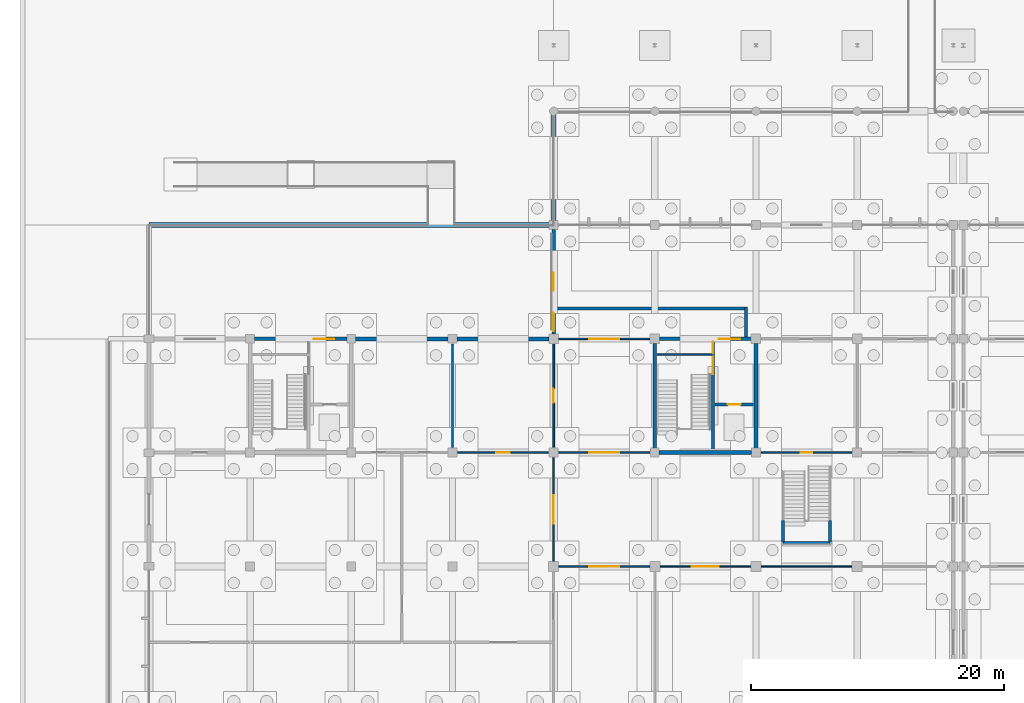
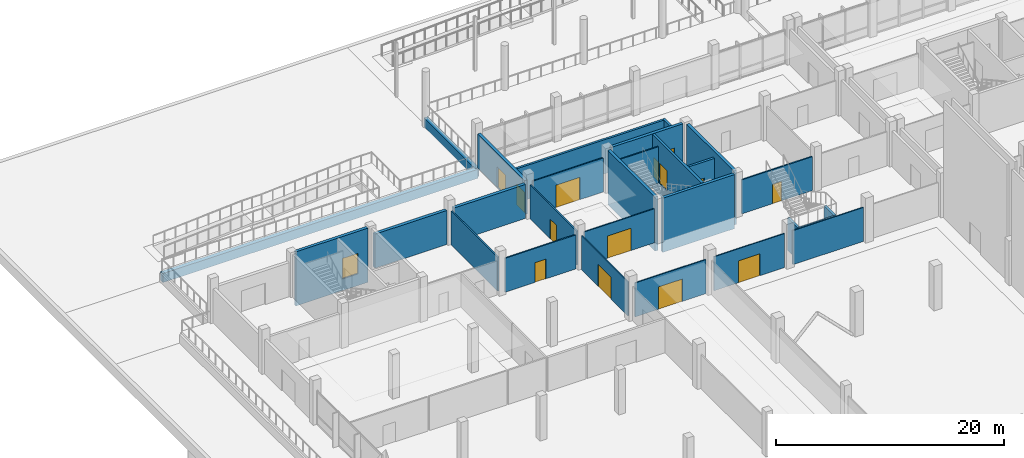
# One storey, part 48 of 72: 28 walls, 15 doors, 15 openings.
"""IFC4 building model written with IfcOpenShell, lengths in metres."""

from ifc_helpers import new_model, si_unit, direction, frame, frame_2d, origin, place, context, subcontext, project, spatial, rectangle, extrude, material, layer, layer_set, type_object, element, fill, save


model = new_model("IFC4")

# Units and contexts
model_context = context("Model", 3, precision=1e-05, world=origin(), true_north=direction((0.0, 1.0)))
body_context = subcontext(model_context, "Body", "Model", "MODEL_VIEW")
ifc_project = project(units=[si_unit("LENGTHUNIT", "METRE"), si_unit("AREAUNIT", "SQUARE_METRE"), si_unit("VOLUMEUNIT", "CUBIC_METRE"), si_unit("PLANEANGLEUNIT", "RADIAN"), si_unit("MASSUNIT", "GRAM", prefix="KILO"), si_unit("THERMODYNAMICTEMPERATUREUNIT", "KELVIN"), si_unit("POWERUNIT", "WATT")], contexts=[model_context])

# Site, building, storey
site_placement = place(None, origin())
site = spatial("IfcSite", under=ifc_project, at=site_placement, CompositionType="ELEMENT")
building_placement = place(site_placement, origin())
building = spatial("IfcBuilding", under=site, at=building_placement, Name="Kronsvod Quay Wholesale Market", CompositionType="ELEMENT")
storey_placement = place(building_placement, origin())
storey = spatial("IfcBuildingStorey", under=building, at=storey_placement, Name="L00", CompositionType="ELEMENT", Elevation=0.0)

# Wall, opening, door
ifc_material_1 = material(Name="Concrete C35/45", Category="concrete")
ifc_layer_1 = layer(ifc_material_1, 0.300048828125)
ifc_layer_set_1 = layer_set([ifc_layer_1], Name="Concrete C35/45")
wall_type_1 = type_object("IfcWallType", Name="Wall_CoreShear300", PredefinedType="SHEAR", material=ifc_layer_set_1)
wall_1_placement = place(storey_placement, frame((8.344970703125, 108.0, -1.25), z_axis=(0.0, 0.0, 1.0), x_axis=(1.0, 0.0, 0.0)))
wall_1 = element("IfcWall", 1, at=wall_1_placement, inside=storey, type_object=wall_type_1, Name="CW-C02-L00-N", PredefinedType="SHEAR", context=body_context, shape_type="SweptSolid", body=[
    extrude(rectangle(XDim=7.31005859375, YDim=0.300048828125, at=frame_2d((3.655029296875, 0.0))), origin(), (0.0, 0.0, 1.0), 5.804931640625),
])
opening_1_placement = place(wall_1_placement, frame((4.699951171875, 0.0, 1.25)))
opening_1 = element("IfcOpeningElement", 2, at=opening_1_placement, cuts=wall_1, Name="Opening D-0011", PredefinedType="OPENING", context=body_context, shape_type="SweptSolid", body=[
    extrude(rectangle(XDim=1.60009765625, YDim=2.199951171875, at=frame_2d((0.800048828125, 1.10009765625))), frame((0.0, 0.16015625, 0.0), z_axis=(0.0, -1.0, 0.0), x_axis=(1.0, 0.0, 0.0)), (0.0, 0.0, 1.0), 0.320068359375),
])
ifc_material_2 = material(Name="Painted galvanized fire steel", Category="steel")
door_type_1 = type_object("IfcDoorType", Name="Door_FireLobby160x220", OperationType="DOUBLE_DOOR_SINGLE_SWING", PredefinedType="DOOR", material=ifc_material_2)
door_1_placement = place(opening_1_placement, origin())
door_1 = element("IfcDoor", 3, at=door_1_placement, inside=storey, type_object=door_type_1, Name="Core Lobby Door D-0011", OperationType="DOUBLE_DOOR_SINGLE_SWING", OverallHeight=2.199951171875, OverallWidth=1.60009765625, PredefinedType="DOOR", context=body_context, shape_type="SweptSolid", body=[
    extrude(rectangle(XDim=1.60009765625, YDim=2.199951171875, at=frame_2d((0.800048828125, 1.10009765625))), frame((0.0, 0.02490234375, 0.0), z_axis=(0.0, -1.0, 0.0), x_axis=(1.0, 0.0, 0.0)), (0.0, 0.0, 1.0), 0.050048828125),
])
fill(opening_1, door_1)

# Wall
wall_2_placement = place(storey_placement, frame((40.344970703125, 99.0, -1.25), z_axis=(0.0, 0.0, 1.0), x_axis=(1.0, 0.0, 0.0)))
element("IfcWall", 4, at=wall_2_placement, inside=storey, type_object=wall_type_1, Name="CW-C07-L00-S", PredefinedType="SHEAR", context=body_context, shape_type="SweptSolid", body=[
    extrude(rectangle(XDim=7.31005859375, YDim=0.300048828125, at=frame_2d((3.655029296875, 0.0))), origin(), (0.0, 0.0, 1.0), 5.804931640625),
])

# Wall, opening, door
wall_3_placement = place(storey_placement, frame((40.3701171875, 108.0, -1.25), z_axis=(0.0, 0.0, 1.0), x_axis=(1.0, 0.0, 0.0)))
wall_3 = element("IfcWall", 5, at=wall_3_placement, inside=storey, type_object=wall_type_1, Name="CW-C07-L00-N", PredefinedType="SHEAR", context=body_context, shape_type="SweptSolid", body=[
    extrude(rectangle(XDim=7.259765625, YDim=0.300048828125, at=frame_2d((3.6298828125, 0.0))), origin(), (0.0, 0.0, 1.0), 5.804931640625),
])
opening_2_placement = place(wall_3_placement, frame((4.699951171875, 0.0, 1.25)))
opening_2 = element("IfcOpeningElement", 6, at=opening_2_placement, cuts=wall_3, Name="Opening D-0064", PredefinedType="OPENING", context=body_context, shape_type="SweptSolid", body=[
    extrude(rectangle(XDim=1.699951171875, YDim=2.25, at=frame_2d((0.85009765625, 1.125))), frame((0.0, 0.16015625, 0.0), z_axis=(0.0, -1.0, 0.0), x_axis=(1.0, 0.0, 0.0)), (0.0, 0.0, 1.0), 0.320068359375),
])
ifc_material_3 = material(Name="Painted galvanized fire steel", Category="steel")
door_type_2 = type_object("IfcDoorType", Name="Door_FireLobby170x225", OperationType="DOUBLE_DOOR_SINGLE_SWING", PredefinedType="DOOR", material=ifc_material_3)
door_2_placement = place(opening_2_placement, origin())
door_2 = element("IfcDoor", 7, at=door_2_placement, inside=storey, type_object=door_type_2, Name="Core Lobby Door D-0064", OperationType="DOUBLE_DOOR_SINGLE_SWING", OverallHeight=2.25, OverallWidth=1.699951171875, PredefinedType="DOOR", context=body_context, shape_type="SweptSolid", body=[
    extrude(rectangle(XDim=1.699951171875, YDim=2.25, at=frame_2d((0.85009765625, 1.125))), frame((0.0, 0.02490234375, 0.0), z_axis=(0.0, -1.0, 0.0), x_axis=(1.0, 0.0, 0.0)), (0.0, 0.0, 1.0), 0.050048828125),
])
fill(opening_2, door_2)

# Walls
for number, where, z_axis, x_axis, name in (
    (8, (40.0, 99.344970703125, -1.25), (0.0, 0.0, 1.0), (0.0, 1.0, 0.0), "CW-C07-L00-W"),
    (9, (48.0, 99.344970703125, -1.25), (0.0, 0.0, 1.0), (0.0, 1.0, 0.0), "CW-C07-L00-E"),
):
    element("IfcWall", number, at=place(storey_placement, frame(where, z_axis=z_axis, x_axis=x_axis)), inside=storey, type_object=wall_type_1, Name=name, PredefinedType="SHEAR", context=body_context, shape_type="SweptSolid", body=[
        extrude(rectangle(XDim=8.284912109375, YDim=0.300048828125, at=frame_2d((4.142578125, 0.0))), origin(), (0.0, 0.0, 1.0), 5.804931640625),
    ])

# Wall, openings, doors
ifc_material_4 = material(Name="Precast concrete C40/50", Category="concrete")
ifc_layer_2 = layer(ifc_material_4, 0.300048828125)
ifc_layer_set_2 = layer_set([ifc_layer_2], Name="Precast concrete C40/50")
wall_type_2 = type_object("IfcWallType", Name="Wall_ExtPrecast300", PredefinedType="SOLIDWALL", material=ifc_layer_set_2)
wall_4_placement = place(storey_placement, frame((32.0, 116.655029296875, 0.0), z_axis=(0.0, 0.0, 1.0), x_axis=(0.0, -1.0, 0.0)))
wall_4 = element("IfcWall", 10, at=wall_4_placement, inside=storey, type_object=wall_type_2, Name="EW-Y-L00-0020", PredefinedType="SOLIDWALL", context=body_context, shape_type="SweptSolid", body=[
    extrude(rectangle(XDim=8.284912109375, YDim=0.300048828125, at=frame_2d((4.142578125, 0.0))), origin(), (0.0, 0.0, 1.0), 3.64990234375),
])
opening_3_placement = place(wall_4_placement, frame((3.4169921875, 0.0, 0.0)))
opening_3 = element("IfcOpeningElement", 11, at=opening_3_placement, cuts=wall_4, Name="Opening ED-014", PredefinedType="OPENING", context=body_context, shape_type="SweptSolid", body=[
    extrude(rectangle(XDim=1.449951171875, YDim=2.199951171875, at=frame_2d((0.72509765625, 1.10009765625))), frame((0.0, 0.16015625, 0.0), z_axis=(0.0, -1.0, 0.0), x_axis=(1.0, 0.0, 0.0)), (0.0, 0.0, 1.0), 0.320068359375),
])
opening_4_placement = place(wall_4_placement, frame((6.60009765625, 0.0, 0.0)))
opening_4 = element("IfcOpeningElement", 12, at=opening_4_placement, cuts=wall_4, Name="Opening ED-063", PredefinedType="OPENING", context=body_context, shape_type="SweptSolid", body=[
    extrude(rectangle(XDim=1.449951171875, YDim=2.199951171875, at=frame_2d((0.72509765625, 1.10009765625))), frame((0.0, 0.16015625, 0.0), z_axis=(0.0, -1.0, 0.0), x_axis=(1.0, 0.0, 0.0)), (0.0, 0.0, 1.0), 0.320068359375),
])
ifc_material_5 = material(Name="Painted galvanized steel", Category="steel")
door_type_3 = type_object("IfcDoorType", Name="Door_ExitSingle145x220", OperationType="NOTDEFINED", PredefinedType="DOOR", material=ifc_material_5)
door_3_placement = place(opening_3_placement, frame((1.449951171875, 0.0, 0.0), z_axis=(0.0, 0.0, 1.0), x_axis=(-1.0, 0.0, 0.0)))
door_3 = element("IfcDoor", 13, at=door_3_placement, inside=storey, type_object=door_type_3, Name="Side Promenade Exit Door ED-014", OperationType="SINGLE_SWING_LEFT", OverallHeight=2.199951171875, OverallWidth=1.449951171875, PredefinedType="DOOR", context=body_context, shape_type="SweptSolid", body=[
    extrude(rectangle(XDim=1.449951171875, YDim=2.199951171875, at=frame_2d((0.72509765625, 1.10009765625))), frame((0.0, 0.02490234375, 0.0), z_axis=(0.0, -1.0, 0.0), x_axis=(1.0, 0.0, 0.0)), (0.0, 0.0, 1.0), 0.050048828125),
])
fill(opening_3, door_3)
door_4_placement = place(opening_4_placement, frame((1.449951171875, 0.0, 0.0), z_axis=(0.0, 0.0, 1.0), x_axis=(-1.0, 0.0, 0.0)))
door_4 = element("IfcDoor", 14, at=door_4_placement, inside=storey, type_object=door_type_3, Name="Side Promenade Exit Door ED-063", OperationType="SINGLE_SWING_LEFT", OverallHeight=2.199951171875, OverallWidth=1.449951171875, PredefinedType="DOOR", context=body_context, shape_type="SweptSolid", body=[
    extrude(rectangle(XDim=1.449951171875, YDim=2.199951171875, at=frame_2d((0.72509765625, 1.10009765625))), frame((0.0, 0.02490234375, 0.0), z_axis=(0.0, -1.0, 0.0), x_axis=(1.0, 0.0, 0.0)), (0.0, 0.0, 1.0), 0.050048828125),
])
fill(opening_4, door_4)

# Walls
ifc_material_6 = material(Name="Precast concrete C40/50", Category="concrete")
ifc_layer_3 = layer(ifc_material_6, 0.320068359375)
ifc_layer_set_3 = layer_set([ifc_layer_3], Name="Precast concrete C40/50")
wall_type_3 = type_object("IfcWallType", Name="Wall_ExtPrecast320", PredefinedType="SOLIDWALL", material=ifc_layer_set_3)
wall_5_placement = place(storey_placement, frame((23.655029296875, 108.0, 0.0), z_axis=(0.0, 0.0, 1.0), x_axis=(-1.0, 0.0, 0.0)))
element("IfcWall", 15, at=wall_5_placement, inside=storey, type_object=wall_type_3, Name="EW-X-L00-0010", PredefinedType="SOLIDWALL", context=body_context, shape_type="SweptSolid", body=[
    extrude(rectangle(XDim=7.31005859375, YDim=0.320068359375, at=frame_2d((3.655029296875, 0.0))), origin(), (0.0, 0.0, 1.0), 3.64990234375),
])
wall_6_placement = place(storey_placement, frame((31.6298828125, 108.0, 0.0), z_axis=(0.0, 0.0, 1.0), x_axis=(-1.0, 0.0, 0.0)))
element("IfcWall", 16, at=wall_6_placement, inside=storey, type_object=wall_type_3, Name="EW-X-L00-0011", PredefinedType="SOLIDWALL", context=body_context, shape_type="SweptSolid", body=[
    extrude(rectangle(XDim=7.284912109375, YDim=0.320068359375, at=frame_2d((3.642578125, 0.0))), origin(), (0.0, 0.0, 1.0), 3.64990234375),
])
ifc_material_7 = material(Name="Concrete C35/45", Category="concrete")
ifc_layer_4 = layer(ifc_material_7, 0.219970703125)
ifc_layer_set_4 = layer_set([ifc_layer_4], Name="Concrete C35/45")
wall_type_4 = type_object("IfcWallType", Name="Wall_FireComp220", PredefinedType="SOLIDWALL", material=ifc_layer_set_4)
wall_7_placement = place(storey_placement, frame((32.14990234375, 110.39990234375, 0.0), z_axis=(0.0, 0.0, 1.0), x_axis=(1.0, 0.0, 0.0)))
element("IfcWall", 17, at=wall_7_placement, inside=storey, type_object=wall_type_4, Name="XPW-C07-N", PredefinedType="SOLIDWALL", context=body_context, shape_type="SweptSolid", body=[
    extrude(rectangle(XDim=14.940185546875, YDim=0.219970703125, at=frame_2d((7.47021484375, 0.0))), origin(), (0.0, 0.0, 1.0), 3.64990234375),
])
wall_8_placement = place(storey_placement, frame((47.199951171875, 108.14990234375, 0.0), z_axis=(0.0, 0.0, 1.0), x_axis=(0.0, 1.0, 0.0)))
element("IfcWall", 18, at=wall_8_placement, inside=storey, type_object=wall_type_4, Name="XPW-C07-E", PredefinedType="SOLIDWALL", context=body_context, shape_type="SweptSolid", body=[
    extrude(rectangle(XDim=2.360107421875, YDim=0.219970703125, at=frame_2d((1.18017578125, 0.0))), origin(), (0.0, 0.0, 1.0), 3.64990234375),
])

# Wall, opening, door
ifc_material_8 = material(Name="Double-glazed gallery screen partition", Category="glass")
ifc_layer_5 = layer(ifc_material_8, 0.10791015625)
ifc_layer_set_5 = layer_set([ifc_layer_5], Name="Double-glazed gallery screen partition")
wall_type_5 = type_object("IfcWallType", Name="Wall_PartGlazed108", PredefinedType="PARTITIONING", material=ifc_layer_set_5)
wall_9_placement = place(storey_placement, frame((32.0, 90.419921875, 0.0), z_axis=(0.0, 0.0, 1.0), x_axis=(0.0, 1.0, 0.0)))
wall_9 = element("IfcWall", 19, at=wall_9_placement, inside=storey, type_object=wall_type_5, Name="PW-L00-0030", PredefinedType="PARTITIONING", context=body_context, shape_type="SweptSolid", body=[
    extrude(rectangle(XDim=8.16015625, YDim=0.10791015625, at=frame_2d((4.080078125, 0.0))), origin(), (0.0, 0.0, 1.0), 3.64990234375),
])
opening_5_placement = place(wall_9_placement, frame((2.955078125, 0.0, 0.0)))
opening_5 = element("IfcOpeningElement", 20, at=opening_5_placement, cuts=wall_9, Name="Opening D-0144", PredefinedType="OPENING", context=body_context, shape_type="SweptSolid", body=[
    extrude(rectangle(XDim=2.25, YDim=2.3798828125, at=frame_2d((1.125, 1.18994140625))), frame((0.0, 0.06396484375, 0.0), z_axis=(0.0, -1.0, 0.0), x_axis=(1.0, 0.0, 0.0)), (0.0, 0.0, 1.0), 0.1279296875),
])
ifc_material_9 = material(Name="Glazed aluminium hall portal", Category="aluminium")
door_type_4 = type_object("IfcDoorType", Name="Door_HallPortal225x238", OperationType="DOUBLE_DOOR_SINGLE_SWING", PredefinedType="DOOR", material=ifc_material_9)
door_5_placement = place(opening_5_placement, origin())
door_5 = element("IfcDoor", 21, at=door_5_placement, inside=storey, type_object=door_type_4, Name="Interior Door D-0144", OperationType="DOUBLE_DOOR_SINGLE_SWING", OverallHeight=2.3798828125, OverallWidth=2.25, PredefinedType="DOOR", context=body_context, shape_type="SweptSolid", body=[
    extrude(rectangle(XDim=2.25, YDim=2.3798828125, at=frame_2d((1.125, 1.18994140625))), frame((0.0, 0.02490234375, 0.0), z_axis=(0.0, -1.0, 0.0), x_axis=(1.0, 0.0, 0.0)), (0.0, 0.0, 1.0), 0.050048828125),
])
fill(opening_5, door_5)

wall_10_placement = place(storey_placement, frame((40.419921875, 90.0, 0.0), z_axis=(0.0, 0.0, 1.0), x_axis=(1.0, 0.0, 0.0)))
wall_10 = element("IfcWall", 22, at=wall_10_placement, inside=storey, type_object=wall_type_5, Name="PW-L00-0089", PredefinedType="PARTITIONING", context=body_context, shape_type="SweptSolid", body=[
    extrude(rectangle(XDim=7.16015625, YDim=0.10791015625, at=frame_2d((3.580078125, 0.0))), origin(), (0.0, 0.0, 1.0), 3.64990234375),
])
opening_6_placement = place(wall_10_placement, frame((2.5048828125, 0.0, 0.0)))
opening_6 = element("IfcOpeningElement", 23, at=opening_6_placement, cuts=wall_10, Name="Opening D-0176", PredefinedType="OPENING", context=body_context, shape_type="SweptSolid", body=[
    extrude(rectangle(XDim=2.14990234375, YDim=2.35009765625, at=frame_2d((1.074951171875, 1.175048828125))), frame((0.0, 0.06396484375, 0.0), z_axis=(0.0, -1.0, 0.0), x_axis=(1.0, 0.0, 0.0)), (0.0, 0.0, 1.0), 0.1279296875),
])
ifc_material_10 = material(Name="Glazed aluminium hall portal", Category="aluminium")
door_type_5 = type_object("IfcDoorType", Name="Door_HallPortal215x235", OperationType="DOUBLE_DOOR_SINGLE_SWING", PredefinedType="DOOR", material=ifc_material_10)
door_6_placement = place(opening_6_placement, origin())
door_6 = element("IfcDoor", 24, at=door_6_placement, inside=storey, type_object=door_type_5, Name="Interior Door D-0176", OperationType="DOUBLE_DOOR_SINGLE_SWING", OverallHeight=2.35009765625, OverallWidth=2.14990234375, PredefinedType="DOOR", context=body_context, shape_type="SweptSolid", body=[
    extrude(rectangle(XDim=2.14990234375, YDim=2.35009765625, at=frame_2d((1.074951171875, 1.175048828125))), frame((0.0, 0.02490234375, 0.0), z_axis=(0.0, -1.0, 0.0), x_axis=(1.0, 0.0, 0.0)), (0.0, 0.0, 1.0), 0.050048828125),
])
fill(opening_6, door_6)

# Wall
wall_11_placement = place(storey_placement, frame((48.419921875, 90.0, 0.0), z_axis=(0.0, 0.0, 1.0), x_axis=(1.0, 0.0, 0.0)))
element("IfcWall", 25, at=wall_11_placement, inside=storey, type_object=wall_type_5, Name="PW-L00-0090", PredefinedType="PARTITIONING", context=body_context, shape_type="SweptSolid", body=[
    extrude(rectangle(XDim=7.16015625, YDim=0.10791015625, at=frame_2d((3.580078125, 0.0))), origin(), (0.0, 0.0, 1.0), 3.64990234375),
])

# Wall, opening, door
ifc_material_11 = material(Name="Framed acoustic glass hall partition", Category="glass")
ifc_layer_6 = layer(ifc_material_11, 0.114990234375)
ifc_layer_set_6 = layer_set([ifc_layer_6], Name="Framed acoustic glass hall partition")
wall_type_6 = type_object("IfcWallType", Name="Wall_PartGlazed115", PredefinedType="PARTITIONING", material=ifc_layer_set_6)
wall_12_placement = place(storey_placement, frame((32.419921875, 90.0, 0.0), z_axis=(0.0, 0.0, 1.0), x_axis=(1.0, 0.0, 0.0)))
wall_12 = element("IfcWall", 26, at=wall_12_placement, inside=storey, type_object=wall_type_6, Name="PW-L00-0088", PredefinedType="PARTITIONING", context=body_context, shape_type="SweptSolid", body=[
    extrude(rectangle(XDim=7.16015625, YDim=0.114990234375, at=frame_2d((3.580078125, 0.0))), origin(), (0.0, 0.0, 1.0), 3.64990234375),
])
opening_7_placement = place(wall_12_placement, frame((2.3798828125, 0.0, 0.0)))
opening_7 = element("IfcOpeningElement", 27, at=opening_7_placement, cuts=wall_12, Name="Opening D-0175", PredefinedType="OPENING", context=body_context, shape_type="SweptSolid", body=[
    extrude(rectangle(XDim=2.39990234375, YDim=2.39990234375, at=frame_2d((1.199951171875, 1.199951171875))), frame((0.0, 0.0673828125, 0.0), z_axis=(0.0, -1.0, 0.0), x_axis=(1.0, 0.0, 0.0)), (0.0, 0.0, 1.0), 0.135009765625),
])
ifc_material_12 = material(Name="Glazed aluminium hall portal", Category="aluminium")
door_type_6 = type_object("IfcDoorType", Name="Door_HallPortal240x240", OperationType="DOUBLE_DOOR_SINGLE_SWING", PredefinedType="DOOR", material=ifc_material_12)
door_7_placement = place(opening_7_placement, origin())
door_7 = element("IfcDoor", 28, at=door_7_placement, inside=storey, type_object=door_type_6, Name="Interior Door D-0175", OperationType="DOUBLE_DOOR_SINGLE_SWING", OverallHeight=2.39990234375, OverallWidth=2.39990234375, PredefinedType="DOOR", context=body_context, shape_type="SweptSolid", body=[
    extrude(rectangle(XDim=2.39990234375, YDim=2.39990234375, at=frame_2d((1.199951171875, 1.199951171875))), frame((0.0, 0.02490234375, 0.0), z_axis=(0.0, -1.0, 0.0), x_axis=(1.0, 0.0, 0.0)), (0.0, 0.0, 1.0), 0.050048828125),
])
fill(opening_7, door_7)

wall_13_placement = place(storey_placement, frame((32.419921875, 99.0, 0.0), z_axis=(0.0, 0.0, 1.0), x_axis=(1.0, 0.0, 0.0)))
wall_13 = element("IfcWall", 29, at=wall_13_placement, inside=storey, type_object=wall_type_6, Name="PW-L00-0127", PredefinedType="PARTITIONING", context=body_context, shape_type="SweptSolid", body=[
    extrude(rectangle(XDim=7.16015625, YDim=0.114990234375, at=frame_2d((3.580078125, 0.0))), origin(), (0.0, 0.0, 1.0), 3.64990234375),
])
opening_8_placement = place(wall_13_placement, frame((2.3798828125, 0.0, 0.0)))
opening_8 = element("IfcOpeningElement", 30, at=opening_8_placement, cuts=wall_13, Name="Opening D-0195", PredefinedType="OPENING", context=body_context, shape_type="SweptSolid", body=[
    extrude(rectangle(XDim=2.39990234375, YDim=2.39990234375, at=frame_2d((1.199951171875, 1.199951171875))), frame((0.0, 0.0673828125, 0.0), z_axis=(0.0, -1.0, 0.0), x_axis=(1.0, 0.0, 0.0)), (0.0, 0.0, 1.0), 0.135009765625),
])
door_8_placement = place(opening_8_placement, origin())
door_8 = element("IfcDoor", 31, at=door_8_placement, inside=storey, type_object=door_type_6, Name="Interior Door D-0195", OperationType="DOUBLE_DOOR_SINGLE_SWING", OverallHeight=2.39990234375, OverallWidth=2.39990234375, PredefinedType="DOOR", context=body_context, shape_type="SweptSolid", body=[
    extrude(rectangle(XDim=2.39990234375, YDim=2.39990234375, at=frame_2d((1.199951171875, 1.199951171875))), frame((0.0, 0.02490234375, 0.0), z_axis=(0.0, -1.0, 0.0), x_axis=(1.0, 0.0, 0.0)), (0.0, 0.0, 1.0), 0.050048828125),
])
fill(opening_8, door_8)

wall_14_placement = place(storey_placement, frame((32.419921875, 108.0, 0.0), z_axis=(0.0, 0.0, 1.0), x_axis=(1.0, 0.0, 0.0)))
wall_14 = element("IfcWall", 32, at=wall_14_placement, inside=storey, type_object=wall_type_6, Name="PW-L00-0138", PredefinedType="PARTITIONING", context=body_context, shape_type="SweptSolid", body=[
    extrude(rectangle(XDim=7.16015625, YDim=0.114990234375, at=frame_2d((3.580078125, 0.0))), origin(), (0.0, 0.0, 1.0), 3.64990234375),
])
opening_9_placement = place(wall_14_placement, frame((2.3798828125, 0.0, 0.0)))
opening_9 = element("IfcOpeningElement", 33, at=opening_9_placement, cuts=wall_14, Name="Opening D-0203", PredefinedType="OPENING", context=body_context, shape_type="SweptSolid", body=[
    extrude(rectangle(XDim=2.39990234375, YDim=2.39990234375, at=frame_2d((1.199951171875, 1.199951171875))), frame((0.0, 0.0673828125, 0.0), z_axis=(0.0, -1.0, 0.0), x_axis=(1.0, 0.0, 0.0)), (0.0, 0.0, 1.0), 0.135009765625),
])
door_9_placement = place(opening_9_placement, frame((2.39990234375, 0.0, 0.0), z_axis=(0.0, 0.0, 1.0), x_axis=(-1.0, 0.0, 0.0)))
door_9 = element("IfcDoor", 34, at=door_9_placement, inside=storey, type_object=door_type_6, Name="Interior Door D-0203", OperationType="DOUBLE_DOOR_SINGLE_SWING", OverallHeight=2.39990234375, OverallWidth=2.39990234375, PredefinedType="DOOR", context=body_context, shape_type="SweptSolid", body=[
    extrude(rectangle(XDim=2.39990234375, YDim=2.39990234375, at=frame_2d((1.199951171875, 1.199951171875))), frame((0.0, 0.02490234375, 0.0), z_axis=(0.0, -1.0, 0.0), x_axis=(1.0, 0.0, 0.0)), (0.0, 0.0, 1.0), 0.050048828125),
])
fill(opening_9, door_9)

# Walls
ifc_material_13 = material(Name="Fire-rated shaft riser block wall", Category="masonry")
ifc_layer_7 = layer(ifc_material_13, 0.1298828125)
ifc_layer_set_7 = layer_set([ifc_layer_7], Name="Fire-rated shaft riser block wall")
wall_type_7 = type_object("IfcWallType", Name="Wall_PartRiser130", PredefinedType="PARTITIONING", material=ifc_layer_set_7)
wall_15_placement = place(storey_placement, frame((40.179931640625, 106.75, 0.0), z_axis=(0.0, 0.0, 1.0), x_axis=(1.0, 0.0, 0.0)))
element("IfcWall", 35, at=wall_15_placement, inside=storey, type_object=wall_type_7, Name="CW-C07-L00-RSR", PredefinedType="PARTITIONING", context=body_context, shape_type="SweptSolid", body=[
    extrude(rectangle(XDim=4.280029296875, YDim=0.1298828125, at=frame_2d((2.14013671875, 0.0))), origin(), (0.0, 0.0, 1.0), 3.905029296875),
])
wall_16_placement = place(storey_placement, frame((50.14990234375, 91.85009765625, -1.25), z_axis=(0.0, 0.0, 1.0), x_axis=(1.0, 0.0, 0.0)))
element("IfcWall", 36, at=wall_16_placement, inside=storey, type_object=wall_type_7, Name="ST-CON-W-SWS", PredefinedType="PARTITIONING", context=body_context, shape_type="SweptSolid", body=[
    extrude(rectangle(XDim=3.7001953125, YDim=0.239990234375, at=frame_2d((1.85009765625, 0.0))), origin(), (0.0, 0.0, 1.0), 3.469970703125),
])
for number, where, z_axis, x_axis, name in (
    (37, (50.14990234375, 91.949951171875, -1.25), (0.0, 0.0, 1.0), (0.0, 1.0, 0.0), "ST-CON-W-SWW"),
    (38, (53.85009765625, 91.949951171875, -1.25), (0.0, 0.0, 1.0), (0.0, 1.0, 0.0), "ST-CON-W-SWE"),
):
    element("IfcWall", number, at=place(storey_placement, frame(where, z_axis=z_axis, x_axis=x_axis)), inside=storey, type_object=wall_type_7, Name=name, PredefinedType="PARTITIONING", context=body_context, shape_type="SweptSolid", body=[
        extrude(rectangle(XDim=1.699951171875, YDim=0.239990234375, at=frame_2d((0.85009765625, 0.0))), origin(), (0.0, 0.0, 1.0), 3.469970703125),
    ])

# Wall, opening, door
ifc_material_14 = material(Name="Moisture-resistant sanitary block partition", Category="masonry")
ifc_layer_8 = layer(ifc_material_14, 0.135009765625)
ifc_layer_set_8 = layer_set([ifc_layer_8], Name="Moisture-resistant sanitary block partition")
wall_type_8 = type_object("IfcWallType", Name="Wall_PartWet135", PredefinedType="PLUMBINGWALL", material=ifc_layer_set_8)
wall_17_placement = place(storey_placement, frame((24.419921875, 99.0, 0.0), z_axis=(0.0, 0.0, 1.0), x_axis=(1.0, 0.0, 0.0)))
wall_17 = element("IfcWall", 39, at=wall_17_placement, inside=storey, type_object=wall_type_8, Name="PW-L00-0028", PredefinedType="PLUMBINGWALL", context=body_context, shape_type="SweptSolid", body=[
    extrude(rectangle(XDim=7.16015625, YDim=0.135009765625, at=frame_2d((3.580078125, 0.0))), origin(), (0.0, 0.0, 1.0), 3.64990234375),
])
opening_10_placement = place(wall_17_placement, frame((3.0400390625, 0.0, 0.0)))
opening_10 = element("IfcOpeningElement", 40, at=opening_10_placement, cuts=wall_17, Name="Opening D-0142", PredefinedType="OPENING", context=body_context, shape_type="SweptSolid", body=[
    extrude(rectangle(XDim=1.080078125, YDim=2.1201171875, at=frame_2d((0.5400390625, 1.06005859375))), frame((0.0, 0.07763671875, 0.0), z_axis=(0.0, -1.0, 0.0), x_axis=(1.0, 0.0, 0.0)), (0.0, 0.0, 1.0), 0.155029296875),
])
ifc_material_15 = material(Name="Accessible outward-swing laminate door", Category="wood")
door_type_7 = type_object("IfcDoorType", Name="Door_AccWC108x212", OperationType="NOTDEFINED", PredefinedType="DOOR", material=ifc_material_15)
door_10_placement = place(opening_10_placement, origin())
door_10 = element("IfcDoor", 41, at=door_10_placement, inside=storey, type_object=door_type_7, Name="Interior Door D-0142", OperationType="SINGLE_SWING_RIGHT", OverallHeight=2.1201171875, OverallWidth=1.080078125, PredefinedType="DOOR", context=body_context, shape_type="SweptSolid", body=[
    extrude(rectangle(XDim=1.080078125, YDim=2.1201171875, at=frame_2d((0.5400390625, 1.06005859375))), frame((0.0, 0.02490234375, 0.0), z_axis=(0.0, -1.0, 0.0), x_axis=(1.0, 0.0, 0.0)), (0.0, 0.0, 1.0), 0.050048828125),
])
fill(opening_10, door_10)

# Wall
wall_18_placement = place(storey_placement, frame((24.0, 99.419921875, 0.0), z_axis=(0.0, 0.0, 1.0), x_axis=(0.0, 1.0, 0.0)))
element("IfcWall", 42, at=wall_18_placement, inside=storey, type_object=wall_type_8, Name="PW-L00-0031", PredefinedType="PLUMBINGWALL", context=body_context, shape_type="SweptSolid", body=[
    extrude(rectangle(XDim=8.16015625, YDim=0.135009765625, at=frame_2d((4.080078125, 0.0))), origin(), (0.0, 0.0, 1.0), 3.64990234375),
])

# Wall, opening, door
wall_19_placement = place(storey_placement, frame((32.0, 99.419921875, 0.0), z_axis=(0.0, 0.0, 1.0), x_axis=(0.0, 1.0, 0.0)))
wall_19 = element("IfcWall", 43, at=wall_19_placement, inside=storey, type_object=wall_type_8, Name="PW-L00-0032", PredefinedType="PLUMBINGWALL", context=body_context, shape_type="SweptSolid", body=[
    extrude(rectangle(XDim=8.16015625, YDim=0.135009765625, at=frame_2d((4.080078125, 0.0))), origin(), (0.0, 0.0, 1.0), 3.64990234375),
])
opening_11_placement = place(wall_19_placement, frame((3.5400390625, 0.0, 0.0)))
opening_11 = element("IfcOpeningElement", 44, at=opening_11_placement, cuts=wall_19, Name="Opening D-0145", PredefinedType="OPENING", context=body_context, shape_type="SweptSolid", body=[
    extrude(rectangle(XDim=1.080078125, YDim=2.1201171875, at=frame_2d((0.5400390625, 1.06005859375))), frame((0.0, 0.07763671875, 0.0), z_axis=(0.0, -1.0, 0.0), x_axis=(1.0, 0.0, 0.0)), (0.0, 0.0, 1.0), 0.155029296875),
])
door_11_placement = place(opening_11_placement, origin())
door_11 = element("IfcDoor", 45, at=door_11_placement, inside=storey, type_object=door_type_7, Name="Interior Door D-0145", OperationType="SINGLE_SWING_LEFT", OverallHeight=2.1201171875, OverallWidth=1.080078125, PredefinedType="DOOR", context=body_context, shape_type="SweptSolid", body=[
    extrude(rectangle(XDim=1.080078125, YDim=2.1201171875, at=frame_2d((0.5400390625, 1.06005859375))), frame((0.0, 0.02490234375, 0.0), z_axis=(0.0, -1.0, 0.0), x_axis=(1.0, 0.0, 0.0)), (0.0, 0.0, 1.0), 0.050048828125),
])
fill(opening_11, door_11)

wall_20_placement = place(storey_placement, frame((48.419921875, 99.0, 0.0), z_axis=(0.0, 0.0, 1.0), x_axis=(1.0, 0.0, 0.0)))
wall_20 = element("IfcWall", 46, at=wall_20_placement, inside=storey, type_object=wall_type_8, Name="PW-L00-0128", PredefinedType="PLUMBINGWALL", context=body_context, shape_type="SweptSolid", body=[
    extrude(rectangle(XDim=7.16015625, YDim=0.135009765625, at=frame_2d((3.580078125, 0.0))), origin(), (0.0, 0.0, 1.0), 3.64990234375),
])
opening_12_placement = place(wall_20_placement, frame((3.1201171875, 0.0, 0.0)))
opening_12 = element("IfcOpeningElement", 47, at=opening_12_placement, cuts=wall_20, Name="Opening D-0196", PredefinedType="OPENING", context=body_context, shape_type="SweptSolid", body=[
    extrude(rectangle(XDim=0.919921875, YDim=2.080078125, at=frame_2d((0.4599609375, 1.0400390625))), frame((0.0, 0.07763671875, 0.0), z_axis=(0.0, -1.0, 0.0), x_axis=(1.0, 0.0, 0.0)), (0.0, 0.0, 1.0), 0.155029296875),
])
ifc_material_16 = material(Name="Moisture-resistant laminate door", Category="wood")
door_type_8 = type_object("IfcDoorType", Name="Door_WC92x208", OperationType="NOTDEFINED", PredefinedType="DOOR", material=ifc_material_16)
door_12_placement = place(opening_12_placement, origin())
door_12 = element("IfcDoor", 48, at=door_12_placement, inside=storey, type_object=door_type_8, Name="Interior Door D-0196", OperationType="SINGLE_SWING_LEFT", OverallHeight=2.080078125, OverallWidth=0.919921875, PredefinedType="DOOR", context=body_context, shape_type="SweptSolid", body=[
    extrude(rectangle(XDim=0.919921875, YDim=2.080078125, at=frame_2d((0.4599609375, 1.0400390625))), frame((0.0, 0.02490234375, 0.0), z_axis=(0.0, -1.0, 0.0), x_axis=(1.0, 0.0, 0.0)), (0.0, 0.0, 1.0), 0.050048828125),
])
fill(opening_12, door_12)

# Walls
ifc_material_17 = material(Name="Precast concrete C40/50", Category="concrete")
ifc_layer_9 = layer(ifc_material_17, 0.39990234375)
ifc_layer_set_9 = layer_set([ifc_layer_9], Name="Precast concrete C40/50")
wall_type_9 = type_object("IfcWallType", Name="Wall_PlinthSkirt400", PredefinedType="STANDARD", material=ifc_layer_set_9)
wall_21_placement = place(storey_placement, frame((0.0, 117.0, -1.25), z_axis=(0.0, 0.0, 1.0), x_axis=(1.0, 0.0, 0.0)))
element("IfcWall", 49, at=wall_21_placement, inside=storey, type_object=wall_type_9, Name="RW-WNW2", PredefinedType="STANDARD", context=body_context, shape_type="SweptSolid", body=[
    extrude(rectangle(XDim=32.0, YDim=0.39990234375, at=frame_2d((16.0, 0.0))), origin(), (0.0, 0.0, 1.0), 0.969970703125),
])
wall_22_placement = place(storey_placement, frame((32.0, 117.0, -1.25), z_axis=(0.0, 0.0, 1.0), x_axis=(0.0, 1.0, 0.0)))
element("IfcWall", 50, at=wall_22_placement, inside=storey, type_object=wall_type_9, Name="RW-WNW3", PredefinedType="STANDARD", context=body_context, shape_type="SweptSolid", body=[
    extrude(rectangle(XDim=9.0, YDim=0.39990234375, at=frame_2d((4.5, 0.0))), origin(), (0.0, 0.0, 1.0), 0.969970703125),
])

# Wall, openings, doors
ifc_material_18 = material(Name="Concrete C35/45", Category="concrete")
ifc_layer_10 = layer(ifc_material_18, 0.239990234375)
ifc_layer_set_10 = layer_set([ifc_layer_10], Name="Concrete C35/45")
wall_type_10 = type_object("IfcWallType", Name="Wall_ShaftWall240", PredefinedType="SHEAR", material=ifc_layer_set_10)
wall_23_placement = place(storey_placement, frame((44.60009765625, 99.179931640625, -1.25), z_axis=(0.0, 0.0, 1.0), x_axis=(0.0, 1.0, 0.0)))
wall_23 = element("IfcWall", 51, at=wall_23_placement, inside=storey, type_object=wall_type_10, Name="CW-C07-L00-DIV", PredefinedType="SHEAR", context=body_context, shape_type="SweptSolid", body=[
    extrude(rectangle(XDim=8.64013671875, YDim=0.239990234375, at=frame_2d((4.320068359375, 0.0))), origin(), (0.0, 0.0, 1.0), 5.804931640625),
])
opening_13_placement = place(wall_23_placement, frame((6.02001953125, 0.0, 1.25)))
opening_13 = element("IfcOpeningElement", 52, at=opening_13_placement, cuts=wall_23, Name="Opening D-0062", PredefinedType="OPENING", context=body_context, shape_type="SweptSolid", body=[
    extrude(rectangle(XDim=1.39990234375, YDim=2.199951171875, at=frame_2d((0.699951171875, 1.10009765625))), frame((0.0, 0.1298828125, 0.0), z_axis=(0.0, -1.0, 0.0), x_axis=(1.0, 0.0, 0.0)), (0.0, 0.0, 1.0), 0.260009765625),
])
opening_14_placement = place(wall_23_placement, frame((7.679931640625, 0.0, 1.25)))
opening_14 = element("IfcOpeningElement", 53, at=opening_14_placement, cuts=wall_23, Name="Opening D-0063", PredefinedType="OPENING", context=body_context, shape_type="SweptSolid", body=[
    extrude(rectangle(XDim=0.89990234375, YDim=2.050048828125, at=frame_2d((0.449951171875, 1.02490234375))), frame((0.0, 0.1298828125, 0.0), z_axis=(0.0, -1.0, 0.0), x_axis=(1.0, 0.0, 0.0)), (0.0, 0.0, 1.0), 0.260009765625),
])
ifc_material_19 = material(Name="Painted galvanized fire steel", Category="steel")
door_type_9 = type_object("IfcDoorType", Name="Door_FireStair140x220", OperationType="NOTDEFINED", PredefinedType="DOOR", material=ifc_material_19)
door_13_placement = place(opening_13_placement, origin())
door_13 = element("IfcDoor", 54, at=door_13_placement, inside=storey, type_object=door_type_9, Name="Stair Fire Door D-0062", OperationType="SINGLE_SWING_LEFT", OverallHeight=2.199951171875, OverallWidth=1.39990234375, PredefinedType="DOOR", context=body_context, shape_type="SweptSolid", body=[
    extrude(rectangle(XDim=1.39990234375, YDim=2.199951171875, at=frame_2d((0.699951171875, 1.10009765625))), frame((0.0, 0.02490234375, 0.0), z_axis=(0.0, -1.0, 0.0), x_axis=(1.0, 0.0, 0.0)), (0.0, 0.0, 1.0), 0.050048828125),
])
fill(opening_13, door_13)
ifc_material_20 = material(Name="Fire-rated steel riser access door", Category="steel")
door_type_10 = type_object("IfcDoorType", Name="Door_Riser90x205", OperationType="NOTDEFINED", PredefinedType="DOOR", material=ifc_material_20)
door_14_placement = place(opening_14_placement, origin())
door_14 = element("IfcDoor", 55, at=door_14_placement, inside=storey, type_object=door_type_10, Name="Service Riser Door D-0063", OperationType="SINGLE_SWING_RIGHT", OverallHeight=2.050048828125, OverallWidth=0.89990234375, PredefinedType="DOOR", context=body_context, shape_type="SweptSolid", body=[
    extrude(rectangle(XDim=0.89990234375, YDim=2.050048828125, at=frame_2d((0.449951171875, 1.02490234375))), frame((0.0, 0.02490234375, 0.0), z_axis=(0.0, -1.0, 0.0), x_axis=(1.0, 0.0, 0.0)), (0.0, 0.0, 1.0), 0.050048828125),
])
fill(opening_14, door_14)

# Wall, opening, door
wall_24_placement = place(storey_placement, frame((44.75, 102.800048828125, 0.0), z_axis=(0.0, 0.0, 1.0), x_axis=(1.0, 0.0, 0.0)))
wall_24 = element("IfcWall", 56, at=wall_24_placement, inside=storey, type_object=wall_type_10, Name="CW-C07-L00-LSH", PredefinedType="SHEAR", context=body_context, shape_type="SweptSolid", body=[
    extrude(rectangle(XDim=3.070068359375, YDim=0.239990234375, at=frame_2d((1.53515625, 0.0))), origin(), (0.0, 0.0, 1.0), 3.905029296875),
])
opening_15_placement = place(wall_24_placement, frame((1.034912109375, 0.0, 0.0)))
opening_15 = element("IfcOpeningElement", 57, at=opening_15_placement, cuts=wall_24, Name="Opening D-0065", PredefinedType="OPENING", context=body_context, shape_type="SweptSolid", body=[
    extrude(rectangle(XDim=1.0, YDim=2.14990234375, at=frame_2d((0.5, 1.074951171875))), frame((0.0, 0.1298828125, 0.0), z_axis=(0.0, -1.0, 0.0), x_axis=(1.0, 0.0, 0.0)), (0.0, 0.0, 1.0), 0.260009765625),
])
ifc_material_21 = material(Name="Brushed stainless steel", Category="steel")
door_type_11 = type_object("IfcDoorType", Name="Door_LiftLandingPax", OperationType="SLIDING_TO_LEFT", PredefinedType="DOOR", material=ifc_material_21)
door_15_placement = place(opening_15_placement, origin())
door_15 = element("IfcDoor", 58, at=door_15_placement, inside=storey, type_object=door_type_11, Name="Lift Landing Door LFT-P02 L00", OperationType="SLIDING_TO_LEFT", OverallHeight=2.14990234375, OverallWidth=1.0, PredefinedType="DOOR", context=body_context, shape_type="SweptSolid", body=[
    extrude(rectangle(XDim=1.0, YDim=2.14990234375, at=frame_2d((0.5, 1.074951171875))), frame((0.0, 0.02490234375, 0.0), z_axis=(0.0, -1.0, 0.0), x_axis=(1.0, 0.0, 0.0)), (0.0, 0.0, 1.0), 0.050048828125),
])
fill(opening_15, door_15)

save(model, "model.ifc")
